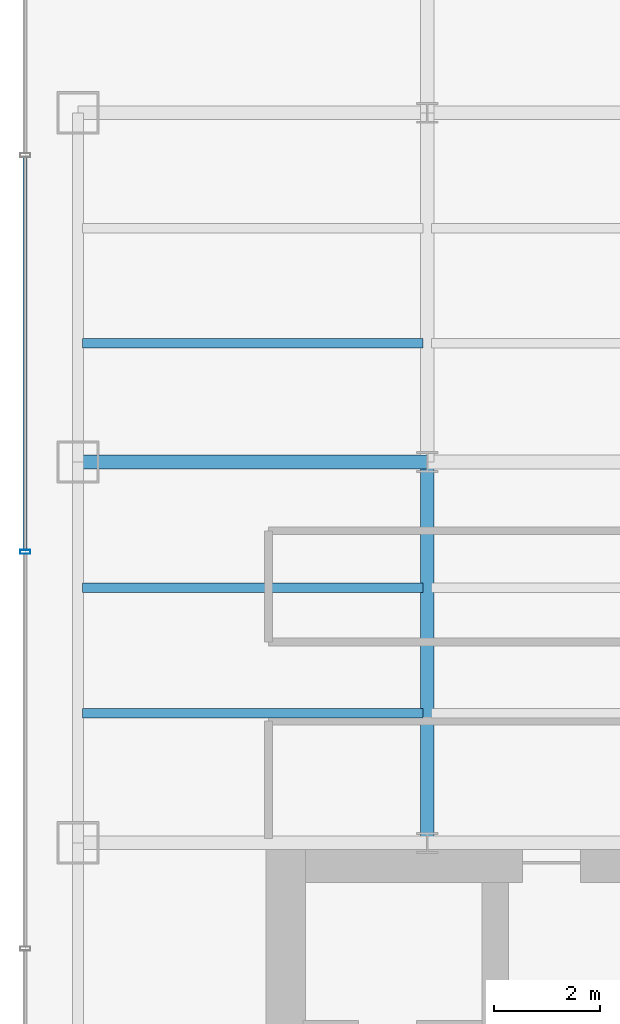
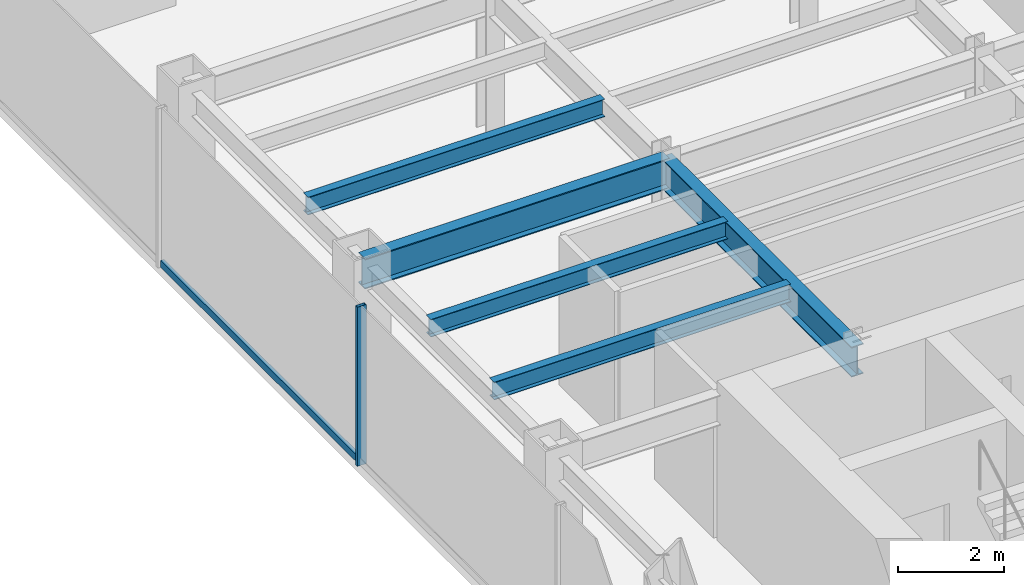
# One storey, part 4 of 26: 5 beams, 2 members, 1 element without a shape of its own.
"""IFC4 building model written with IfcOpenShell, lengths in metres."""

from ifc_helpers import new_model, si_unit, derived_unit, direction, frame, origin, origin_2d, place, context, subcontext, project, spatial, hollow_rectangle, i_section, extrude, source, transform, mapped, material, material_profile, profile_set, type_object, element, aggregate, save


model = new_model("IFC4")

# Units and contexts
model_context = context("Model", 3, precision=1e-05, world=origin(), true_north=direction((0.0, 1.0)))
body_context = subcontext(model_context, "Body", "Model", "MODEL_VIEW")
ifc_project = project(units=[si_unit("LENGTHUNIT", "METRE"), si_unit("AREAUNIT", "SQUARE_METRE"), si_unit("VOLUMEUNIT", "CUBIC_METRE"), si_unit("PLANEANGLEUNIT", "RADIAN"), si_unit("MASSUNIT", "GRAM", prefix="KILO"), derived_unit("THERMALTRANSMITTANCEUNIT", [(si_unit("POWERUNIT", "WATT"), 1), (si_unit("LENGTHUNIT", "METRE"), -2), (si_unit("THERMODYNAMICTEMPERATUREUNIT", "KELVIN"), -1)])], contexts=[model_context])

# Site, building, storey
site_placement = place(None, origin())
site = spatial("IfcSite", under=ifc_project, at=site_placement, CompositionType="ELEMENT")
building_placement = place(site_placement, origin())
building = spatial("IfcBuilding", under=site, at=building_placement, Name="Skarnbrae Concourse Arena and Tower", CompositionType="ELEMENT")
storey_placement = place(building_placement, frame((0.0, 0.0, 114.199951171875)))
storey = spatial("IfcBuildingStorey", under=building, at=storey_placement, Name="L28", CompositionType="ELEMENT", Elevation=114.199951171875)

# Beams
ifc_material_1 = material(Name="Steel CSA G40.21 350W", Category="steel")
ifc_material_profile_1 = material_profile(ifc_material_1, i_section(OverallWidth=0.256103515625, OverallDepth=0.693115234375, WebThickness=0.014404296875, FlangeThickness=0.023681640625, at=origin_2d()), Name="W690X170")
ifc_profile_set_1 = profile_set([ifc_material_profile_1], Name="Steel CSA G40.21 350W")
beam_type_1 = type_object("IfcBeamType", Name="BM-GIRD-W690X170", PredefinedType="BEAM", material=ifc_profile_set_1)
shared_shape_1 = source(origin(), body_context, "Body", "SweptSolid", [
    extrude(i_section(OverallWidth=0.256103515625, OverallDepth=0.693115234375, WebThickness=0.014404296875, FlangeThickness=0.023681640625, at=origin_2d()), origin(), (0.0, 0.0, 1.0), 6.60009765625),
])
beam_1_placement = place(storey_placement, frame((1.0, 21.199951171875, 3.053466796875), z_axis=(1.0, 0.0, 0.0), x_axis=(0.0, 1.0, 0.0)))
element("IfcBeam", 1, at=beam_1_placement, inside=storey, type_object=beam_type_1, Name="L28 Primary E-W girder Y21.2-1", PredefinedType="BEAM", context=body_context, shape_type="MappedRepresentation", body=[
    mapped(shared_shape_1, transform((0.0, 0.0, 0.0))),
])
shared_shape_2 = source(origin(), body_context, "Body", "SweptSolid", [
    extrude(i_section(OverallWidth=0.256103515625, OverallDepth=0.693115234375, WebThickness=0.014404296875, FlangeThickness=0.023681640625, at=origin_2d()), origin(), (0.0, 0.0, 1.0), 7.199951171875),
])
beam_2_placement = place(storey_placement, frame((7.60009765625, 14.0, 3.053466796875), z_axis=(0.0, 1.0, 0.0), x_axis=(-1.0, 0.0, 0.0)))
element("IfcBeam", 2, at=beam_2_placement, inside=storey, type_object=beam_type_1, Name="L28 Primary N-S girder X7.6-1", PredefinedType="BEAM", context=body_context, shape_type="MappedRepresentation", body=[
    mapped(shared_shape_2, transform((0.0, 0.0, 0.0))),
])
ifc_material_profile_2 = material_profile(ifc_material_1, i_section(OverallWidth=0.177978515625, OverallDepth=0.406982421875, WebThickness=0.0078125, FlangeThickness=0.0126953125, at=origin_2d()), Name="W410X60")
ifc_profile_set_2 = profile_set([ifc_material_profile_2], Name="Steel CSA G40.21 350W")
beam_type_2 = type_object("IfcBeamType", Name="BM-JOIST-W410X60", PredefinedType="JOIST", material=ifc_profile_set_2)
shared_shape_3 = source(origin(), body_context, "Body", "SweptSolid", [
    extrude(i_section(OverallWidth=0.177978515625, OverallDepth=0.406982421875, WebThickness=0.0078125, FlangeThickness=0.0126953125, at=origin_2d()), origin(), (0.0, 0.0, 1.0), 6.43994140625),
])
for number, where, z_axis, x_axis, name in (
    (3, (1.080078125, 16.447998046875, 3.196533203125), (1.0, 0.0, 0.0), (0.0, 1.0, 0.0), "L28 Secondary floor joist 1.1.1"),
    (4, (1.080078125, 18.823974609375, 3.196533203125), (1.0, 0.0, 0.0), (0.0, 1.0, 0.0), "L28 Secondary floor joist 1.2.1"),
    (5, (1.080078125, 23.444091796875, 3.196533203125), (1.0, 0.0, 0.0), (0.0, 1.0, 0.0), "L28 Secondary floor joist 2.1.1"),
):
    element("IfcBeam", number, at=place(storey_placement, frame(where, z_axis=z_axis, x_axis=x_axis)), inside=storey, type_object=beam_type_2, Name=name, PredefinedType="JOIST", context=body_context, shape_type="MappedRepresentation", body=[
        mapped(shared_shape_3, transform((0.0, 0.0, 0.0))),
    ])

# Curtain wall, members
ifc_material_2 = material(Name="Bronze anodised aluminium 6063-T6", Category="aluminium")
curtain_wall_type = type_object("IfcCurtainWallType", Name="CW-SYS-04-MIDZONE", PredefinedType="USERDEFINED", material=ifc_material_2)
curtain_wall_placement = place(storey_placement, origin())
curtain_wall = element("IfcCurtainWall", 6, at=curtain_wall_placement, inside=storey, type_object=curtain_wall_type, Name="L28 Unitised curtain wall CW-L28-E19", ObjectType="UNITISED CURTAIN WALL", PredefinedType="USERDEFINED")
ifc_material_profile_3 = material_profile(ifc_material_2, hollow_rectangle(XDim=0.074951171875, YDim=0.195068359375, WallThickness=0.00439453125, at=origin_2d()), Name="ALU-MULL-75X195")
ifc_profile_set_3 = profile_set([ifc_material_profile_3], Name="Bronze anodised aluminium 6063-T6")
member_type_1 = type_object("IfcMemberType", Name="CWM-CW-04", PredefinedType="MULLION", material=ifc_profile_set_3)
shared_shape_4 = source(origin(), body_context, "Body", "SweptSolid", [
    extrude(hollow_rectangle(XDim=0.074951171875, YDim=0.195068359375, WallThickness=0.00439453125, at=origin_2d()), origin(), (0.0, 0.0, 1.0), 3.650146484375),
])
member_1_placement = place(storey_placement, frame((0.0, 19.5, 0.0), z_axis=(0.0, 0.0, 1.0), x_axis=(0.0, -1.0, 0.0)))
member_1 = element("IfcMember", 7, at=member_1_placement, type_object=member_type_1, Name="CW-L28-E19 Mullion 3", PredefinedType="MULLION", context=body_context, shape_type="MappedRepresentation", body=[
    mapped(shared_shape_4, transform((0.0, 0.0, 0.0))),
])
ifc_material_profile_4 = material_profile(ifc_material_2, hollow_rectangle(XDim=0.074951171875, YDim=0.159912109375, WallThickness=0.00439453125, at=origin_2d()), Name="ALU-TRAN-75X160")
ifc_profile_set_4 = profile_set([ifc_material_profile_4], Name="Bronze anodised aluminium 6063-T6")
member_type_2 = type_object("IfcMemberType", Name="CWT-CW-04", PredefinedType="USERDEFINED", material=ifc_profile_set_4)
shared_shape_5 = source(origin(), body_context, "Body", "SweptSolid", [
    extrude(hollow_rectangle(XDim=0.074951171875, YDim=0.159912109375, WallThickness=0.00439453125, at=origin_2d()), origin(), (0.0, 0.0, 1.0), 7.4248046875),
])
member_2_placement = place(storey_placement, frame((0.0, 26.96240234375, 0.080078125), z_axis=(0.0, -1.0, 0.0), x_axis=(1.0, 0.0, 0.0)))
member_2 = element("IfcMember", 8, at=member_2_placement, type_object=member_type_2, Name="CW-L28-E19 Transom 2", ObjectType="TRANSOM", PredefinedType="USERDEFINED", context=body_context, shape_type="MappedRepresentation", body=[
    mapped(shared_shape_5, transform((0.0, 0.0, 0.0))),
])
aggregate(curtain_wall, [member_1, member_2])

save(model, "model.ifc")
